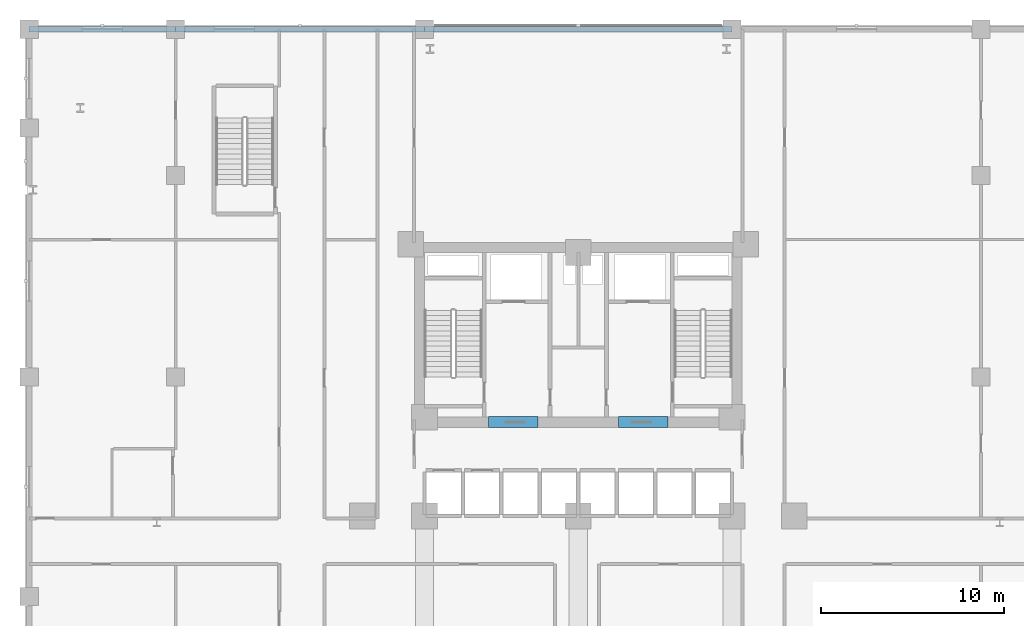
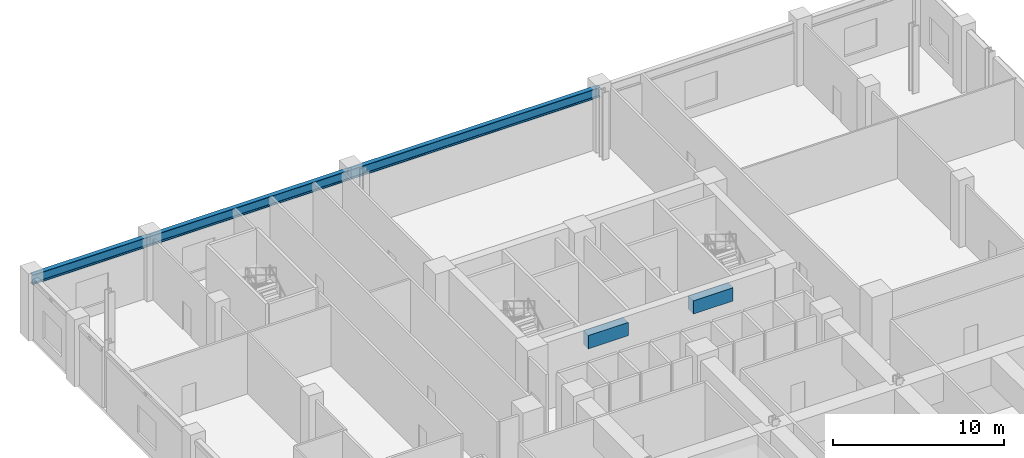
# One storey, part 15 of 44: 5 beams.
"""IFC4 building model written with IfcOpenShell, lengths in metres."""

import ifcopenshell
import ifcopenshell.guid

model = None  # the IFC model being written
_history = None  # IfcOwnerHistory: only IFC2X3 demands one
_inside = {}  # id of a spatial element -> (the spatial element, [elements in it])
_under = {}  # id of a project, library or spatial element -> (it, [spatial elements below it])
_declared = {}  # id of a project -> (the project, [libraries it declares])
_typed = {}  # id of a type object -> (the type object, [elements of that type])
_made_of = {}  # id of a material, layer set ... -> (it, [elements and type objects made of it])


def new_model(schema):
    """Start an empty IFC model of exactly this schema.

    Asked for "IFC4X3", IfcOpenShell would pick the latest addendum, in which some entities
    have other attributes; the version numbers below select the first issue.
    IFC2X3 requires an IfcOwnerHistory on every rooted entity: one is made here for all.
    """
    global model, _history
    if schema == "IFC4X3":
        model = ifcopenshell.file(schema_version=(4, 3, 0, 0))
    else:
        model = ifcopenshell.file(schema=schema)
    _inside.clear()
    _under.clear()
    _declared.clear()
    _typed.clear()
    _made_of.clear()
    _history = None
    if model.schema == "IFC2X3":
        org = make("IfcOrganization", Name="unknown")
        user = make(
            "IfcPersonAndOrganization",
            ThePerson=make("IfcPerson", FamilyName="unknown"),
            TheOrganization=org,
        )
        app = make(
            "IfcApplication",
            ApplicationDeveloper=org,
            Version="unknown",
            ApplicationFullName="unknown",
            ApplicationIdentifier="unknown",
        )
        _history = make(
            "IfcOwnerHistory",
            OwningUser=user,
            OwningApplication=app,
            ChangeAction="ADDED",
            CreationDate=0,
        )
    return model


def make(cls, **values):
    """One entity of the class cls with the attributes given. An attribute that is None is left unset."""
    return model.create_entity(
        cls, **{name: value for name, value in values.items() if value is not None}
    )


def rooted(cls, **values):
    """An entity with a GlobalId (a new one), such as an element, a storey or a relation."""
    return make(cls, GlobalId=ifcopenshell.guid.new(), OwnerHistory=_history, **values)


def si_unit(unit_type, name, prefix=None):
    """IfcSIUnit, for example si_unit("LENGTHUNIT", "METRE", prefix="MILLI")."""
    return make("IfcSIUnit", UnitType=unit_type, Prefix=prefix, Name=name)


def derived_unit(unit_type, elements):
    """IfcDerivedUnit: a product of units, each with its exponent."""
    return make(
        "IfcDerivedUnit",
        Elements=[
            make("IfcDerivedUnitElement", Unit=unit, Exponent=power)
            for unit, power in elements
        ],
        UnitType=unit_type,
    )


def assignment(units):
    """IfcUnitAssignment: the units of a project."""
    return None if units is None else make("IfcUnitAssignment", Units=units)


def point(xyz):
    """IfcCartesianPoint."""
    return None if xyz is None else make("IfcCartesianPoint", Coordinates=xyz)


def direction(xyz):
    """IfcDirection."""
    return None if xyz is None else make("IfcDirection", DirectionRatios=xyz)


def frame(location, z_axis=None, x_axis=None):
    """IfcAxis2Placement3D, a coordinate frame: its origin and axes. An axis left out is left unset."""
    return make(
        "IfcAxis2Placement3D",
        Location=point(location),
        Axis=direction(z_axis),
        RefDirection=direction(x_axis),
    )


def frame_2d(location, x_axis=None):
    """IfcAxis2Placement2D, a coordinate frame in the plane: its origin and x axis."""
    return make(
        "IfcAxis2Placement2D", Location=point(location), RefDirection=direction(x_axis)
    )


def origin():
    """The frame at (0, 0, 0) with its axes left unset."""
    return frame((0.0, 0.0, 0.0))


def origin_2d():
    """The frame at (0, 0) in the plane with its x axis left unset."""
    return frame_2d((0.0, 0.0))


def place(relative_to, where):
    """IfcLocalPlacement: puts the frame where relative to a parent placement (None: the world)."""
    return make(
        "IfcLocalPlacement", PlacementRelTo=relative_to, RelativePlacement=where
    )


def context(
    kind, dimensions, precision=None, world=None, true_north=None, identifier=None
):
    """IfcGeometricRepresentationContext, for example the 3D "Model" context."""
    return make(
        "IfcGeometricRepresentationContext",
        ContextIdentifier=identifier,
        ContextType=kind,
        CoordinateSpaceDimension=dimensions,
        Precision=precision,
        WorldCoordinateSystem=world,
        TrueNorth=true_north,
    )


def subcontext(parent, identifier, kind, view, scale=None):
    """IfcGeometricRepresentationSubContext, for example "Body" below "Model"."""
    return make(
        "IfcGeometricRepresentationSubContext",
        ContextIdentifier=identifier,
        ContextType=kind,
        ParentContext=parent,
        TargetScale=scale,
        TargetView=view,
    )


def project(units=None, contexts=None):
    """IfcProject with its units and contexts."""
    return rooted(
        "IfcProject",
        Name="project",
        RepresentationContexts=contexts,
        UnitsInContext=assignment(units),
    )


def spatial(cls, under=None, at=None, **own):
    """A site, building, storey or space (cls), placed at a placement, below another one or the project."""
    s = rooted(cls, ObjectPlacement=at, **own)
    if under is not None:
        _under.setdefault(under.id(), (under, []))[1].append(s)
    return s


def profile(cls, at=None, kind="AREA", **sizes):
    """A parametric profile (cls). Its sizes go by their IFC names, for example OverallWidth=200.0."""
    return make(cls, ProfileType=kind, Position=at, **sizes)


def rectangle(**sizes):
    """IfcRectangleProfileDef."""
    return profile("IfcRectangleProfileDef", **sizes)


def i_section(**sizes):
    """IfcIShapeProfileDef."""
    return profile("IfcIShapeProfileDef", **sizes)


def extrude(swept, where, along, depth):
    """IfcExtrudedAreaSolid: the profile swept, set in the frame where, extruded along a direction by depth."""
    return make(
        "IfcExtrudedAreaSolid",
        SweptArea=swept,
        Position=where,
        ExtrudedDirection=direction(along),
        Depth=depth,
    )


def shape(context_of_items, identifier, shape_type, items):
    """IfcShapeRepresentation: the items that make up one representation, for example the "Body"."""
    return make(
        "IfcShapeRepresentation",
        ContextOfItems=context_of_items,
        RepresentationIdentifier=identifier,
        RepresentationType=shape_type,
        Items=items,
    )


def source(mapping_origin, context_of_items, identifier, shape_type, items):
    """IfcRepresentationMap: a shape defined once, which mapped items show again and again."""
    return make(
        "IfcRepresentationMap",
        MappingOrigin=mapping_origin,
        MappedRepresentation=shape(context_of_items, identifier, shape_type, items),
    )


def transform(
    local_origin,
    x_axis=None,
    y_axis=None,
    z_axis=None,
    scale=None,
    scale2=None,
    scale3=None,
    uniform=True,
):
    """IfcCartesianTransformationOperator3D, or its non-uniform kind. x_axis, y_axis, z_axis: its Axis1, 2, 3."""
    if uniform:
        return make(
            "IfcCartesianTransformationOperator3D",
            Axis1=direction(x_axis),
            Axis2=direction(y_axis),
            LocalOrigin=point(local_origin),
            Scale=scale,
            Axis3=direction(z_axis),
        )
    return make(
        "IfcCartesianTransformationOperator3DnonUniform",
        Axis1=direction(x_axis),
        Axis2=direction(y_axis),
        LocalOrigin=point(local_origin),
        Scale=scale,
        Axis3=direction(z_axis),
        Scale2=scale2,
        Scale3=scale3,
    )


def mapped(mapping_source, mapping_target):
    """IfcMappedItem: shows the shape of a source again, moved by a transform."""
    return make(
        "IfcMappedItem", MappingSource=mapping_source, MappingTarget=mapping_target
    )


def material(Name=None, Category=None):
    """IfcMaterial."""
    return make("IfcMaterial", Name=Name, Category=Category)


def material_profile(
    of_material, cross_section, Name=None, Category=None, Priority=None
):
    """IfcMaterialProfile: a cross section and its material."""
    return make(
        "IfcMaterialProfile",
        Name=Name,
        Material=of_material,
        Profile=cross_section,
        Priority=Priority,
        Category=Category,
    )


def profile_set(profiles, Name=None, composite=None):
    """IfcMaterialProfileSet."""
    return make(
        "IfcMaterialProfileSet",
        Name=Name,
        MaterialProfiles=profiles,
        CompositeProfile=composite,
    )


def made_of(thing, what):
    """Note that an element or type object is made of a material, layer set ...; save() writes the relation."""
    if what is not None:
        _made_of.setdefault(what.id(), (what, []))[1].append(thing)
    return thing


def type_object(cls, material=None, **own):
    """A type object (cls), such as IfcWallType, which elements share."""
    return made_of(rooted(cls, **own), material)


def element(
    cls,
    number,
    at=None,
    inside=None,
    cuts=None,
    type_object=None,
    material=None,
    context=None,
    identifier="Body",
    shape_type=None,
    held_by="IfcProductDefinitionShape",
    body=None,
    shapes=None,
    **own,
):
    """One element of the class cls, such as IfcWall. Its Tag is "e" and its number.

    at: its placement. inside: the storey or other place that contains it. cuts: it is an
    opening in that element (IfcRelVoidsElement). A single representation is given by context,
    identifier, shape_type and body (its items); several are given by shapes. held_by: the class
    of the entity that holds the representations. save() writes the other relations.
    """
    e = rooted(cls, Tag="e%d" % number, ObjectPlacement=at, **own)
    if body is not None:
        shapes = [shape(context, identifier, shape_type, body)]
    if shapes is not None:
        e.Representation = make(held_by, Representations=shapes)
    if inside is not None:
        _inside.setdefault(inside.id(), (inside, []))[1].append(e)
    if cuts is not None:
        rooted(
            "IfcRelVoidsElement", RelatingBuildingElement=cuts, RelatedOpeningElement=e
        )
    if type_object is not None:
        _typed.setdefault(type_object.id(), (type_object, []))[1].append(e)
    return made_of(e, material)


def aggregate(whole, parts):
    """IfcRelAggregates: a whole, such as a stair, and the parts it consists of."""
    return rooted("IfcRelAggregates", RelatingObject=whole, RelatedObjects=parts)


def save(model, path):
    """Write the relations noted so far, then the file.

    IfcRelAggregates (storeys below a building ...), IfcRelContainedInSpatialStructure (elements
    in a storey), IfcRelDefinesByType, IfcRelAssociatesMaterial and IfcRelDeclares: one each for
    every whole, place, type object, material and project.
    """
    for whole, parts in _under.values():
        aggregate(whole, parts)
    for where, things in _inside.values():
        rooted(
            "IfcRelContainedInSpatialStructure",
            RelatedElements=things,
            RelatingStructure=where,
        )
    for kind, things in _typed.values():
        rooted("IfcRelDefinesByType", RelatedObjects=things, RelatingType=kind)
    for what, things in _made_of.values():
        rooted("IfcRelAssociatesMaterial", RelatedObjects=things, RelatingMaterial=what)
    for by, libraries in _declared.values():
        rooted("IfcRelDeclares", RelatingContext=by, RelatedDefinitions=libraries)
    model.write(path)


model = new_model("IFC4")

# Units and contexts
model_context = context("Model", 3, precision=1e-05, world=origin(), true_north=direction((0.0, 1.0)))
body_context = subcontext(model_context, "Body", "Model", "MODEL_VIEW")
ifc_project = project(units=[si_unit("LENGTHUNIT", "METRE"), si_unit("AREAUNIT", "SQUARE_METRE"), si_unit("VOLUMEUNIT", "CUBIC_METRE"), si_unit("PLANEANGLEUNIT", "RADIAN"), si_unit("MASSUNIT", "GRAM", prefix="KILO"), derived_unit("THERMALTRANSMITTANCEUNIT", [(si_unit("POWERUNIT", "WATT"), 1), (si_unit("LENGTHUNIT", "METRE"), -2), (si_unit("THERMODYNAMICTEMPERATUREUNIT", "KELVIN"), -1)])], contexts=[model_context])

# Site, building, storey
site_placement = place(None, origin())
site = spatial("IfcSite", under=ifc_project, at=site_placement, CompositionType="ELEMENT")
building_placement = place(site_placement, origin())
building = spatial("IfcBuilding", under=site, at=building_placement, Name="Korsvarv Bourse and Concert Hall", CompositionType="ELEMENT")
storey_placement = place(building_placement, frame((0.0, 0.0, 9.60009765625)))
storey = spatial("IfcBuildingStorey", under=building, at=storey_placement, Name="L02", CompositionType="ELEMENT", Elevation=9.60009765625)

# Beams
ifc_material_1 = material(Name="Concrete C55/67", Category="concrete")
ifc_material_profile_1 = material_profile(ifc_material_1, rectangle(XDim=0.60009765625, YDim=0.949951171875, at=origin_2d()), Name="RC-BM 600x950")
ifc_profile_set_1 = profile_set([ifc_material_profile_1], Name="Concrete C55/67")
beam_type_1 = type_object("IfcBeamType", Name="BM-CPL", PredefinedType="LINTEL", material=ifc_profile_set_1)
shared_shape_1 = source(origin(), body_context, "Body", "SweptSolid", [
    extrude(rectangle(XDim=0.60009765625, YDim=0.949951171875, at=origin_2d()), origin(), (0.0, 0.0, 1.0), 2.699951171875),
])
for number, where, z_axis, x_axis, name in (
    (1, (31.10009765625, 37.52490234375, 3.875), (1.0, 0.0, 0.0), (0.0, 1.0, 0.0), "L02 Core Coupling Beam West"),
    (2, (38.199951171875, 37.52490234375, 3.875), (1.0, 0.0, 0.0), (0.0, 1.0, 0.0), "L02 Core Coupling Beam East"),
):
    element("IfcBeam", number, at=place(storey_placement, frame(where, z_axis=z_axis, x_axis=x_axis)), inside=storey, type_object=beam_type_1, Name=name, PredefinedType="LINTEL", context=body_context, shape_type="MappedRepresentation", body=[
        mapped(shared_shape_1, transform((0.0, 0.0, 0.0), scale=1.0)),
    ])
ifc_material_2 = material(Name="Steel S355", Category="steel")
ifc_material_profile_2 = material_profile(ifc_material_2, i_section(OverallWidth=0.300048828125, OverallDepth=0.699951171875, WebThickness=0.01708984375, FlangeThickness=0.031982421875, FilletRadius=0.027099609375, at=origin_2d()), Name="HEB 700")
ifc_profile_set_2 = profile_set([ifc_material_profile_2], Name="Steel S355")
beam_type_2 = type_object("IfcBeamType", Name="BM-HEB700", PredefinedType="BEAM", material=ifc_profile_set_2)
shared_shape_2 = source(origin(), body_context, "Body", "SweptSolid", [
    extrude(i_section(OverallWidth=0.300048828125, OverallDepth=0.699951171875, WebThickness=0.01708984375, FlangeThickness=0.031982421875, FilletRadius=0.027099609375, at=origin_2d()), origin(), (0.0, 0.0, 1.0), 13.60009765625),
])
beam_1_placement = place(storey_placement, frame((14.0, 59.0, 4.0), z_axis=(1.0, 0.0, 0.0), x_axis=(0.0, 1.0, 0.0)))
element("IfcBeam", 3, at=beam_1_placement, inside=storey, type_object=beam_type_2, Name="L02 beam B-03", PredefinedType="BEAM", context=body_context, shape_type="MappedRepresentation", body=[
    mapped(shared_shape_2, transform((0.0, 0.0, 0.0), scale=1.0)),
])
shared_shape_3 = source(origin(), body_context, "Body", "SweptSolid", [
    extrude(i_section(OverallWidth=0.300048828125, OverallDepth=0.699951171875, WebThickness=0.01708984375, FlangeThickness=0.031982421875, FilletRadius=0.027099609375, at=origin_2d()), origin(), (0.0, 0.0, 1.0), 8.0),
])
beam_2_placement = place(storey_placement, frame((6.0, 59.0, 4.0), z_axis=(1.0, 0.0, 0.0), x_axis=(0.0, 1.0, 0.0)))
element("IfcBeam", 4, at=beam_2_placement, inside=storey, type_object=beam_type_2, Name="L02 beam B-03", PredefinedType="BEAM", context=body_context, shape_type="MappedRepresentation", body=[
    mapped(shared_shape_3, transform((0.0, 0.0, 0.0), scale=1.0)),
])
shared_shape_4 = source(origin(), body_context, "Body", "SweptSolid", [
    extrude(i_section(OverallWidth=0.300048828125, OverallDepth=0.699951171875, WebThickness=0.01708984375, FlangeThickness=0.031982421875, FilletRadius=0.027099609375, at=origin_2d()), origin(), (0.0, 0.0, 1.0), 16.7998046875),
])
beam_3_placement = place(storey_placement, frame((27.60009765625, 59.0, 4.0), z_axis=(1.0, 0.0, 0.0), x_axis=(0.0, 1.0, 0.0)))
element("IfcBeam", 5, at=beam_3_placement, inside=storey, type_object=beam_type_2, Name="L02 beam B-03", PredefinedType="BEAM", context=body_context, shape_type="MappedRepresentation", body=[
    mapped(shared_shape_4, transform((0.0, 0.0, 0.0), scale=1.0)),
])

save(model, "model.ifc")
